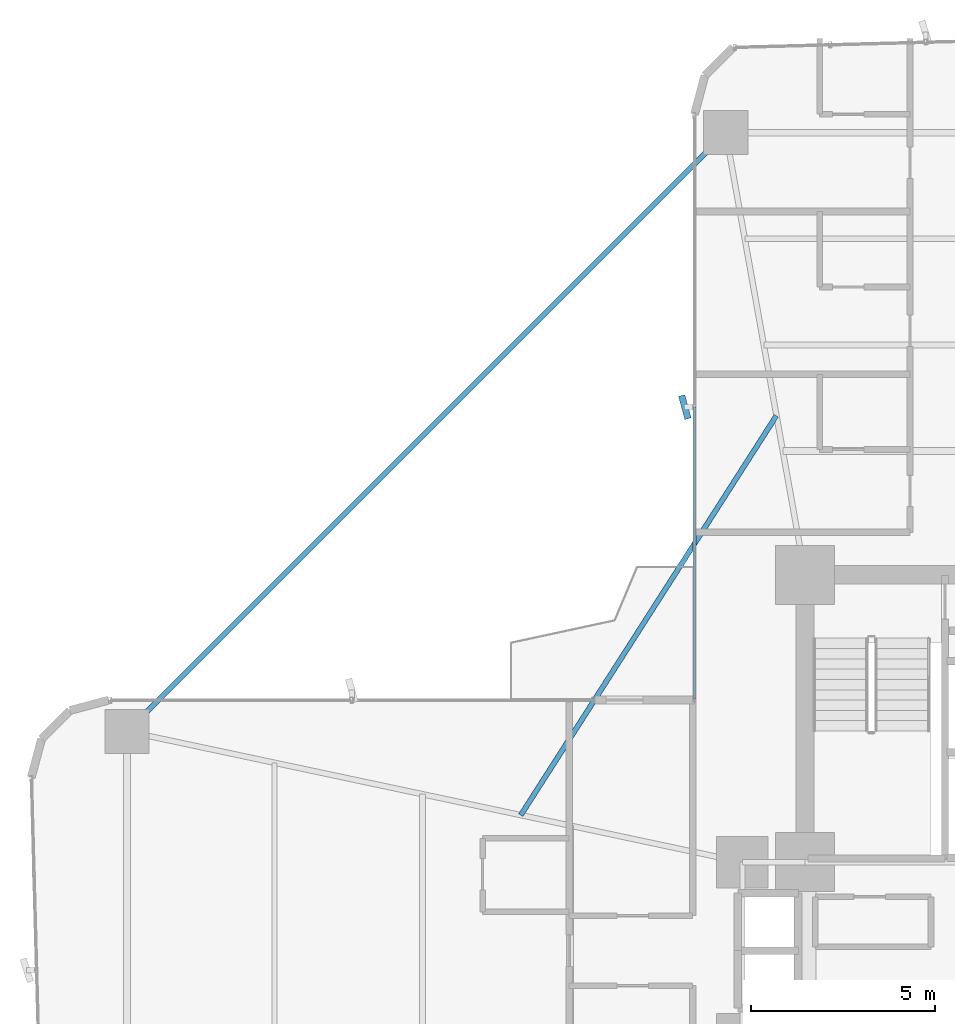
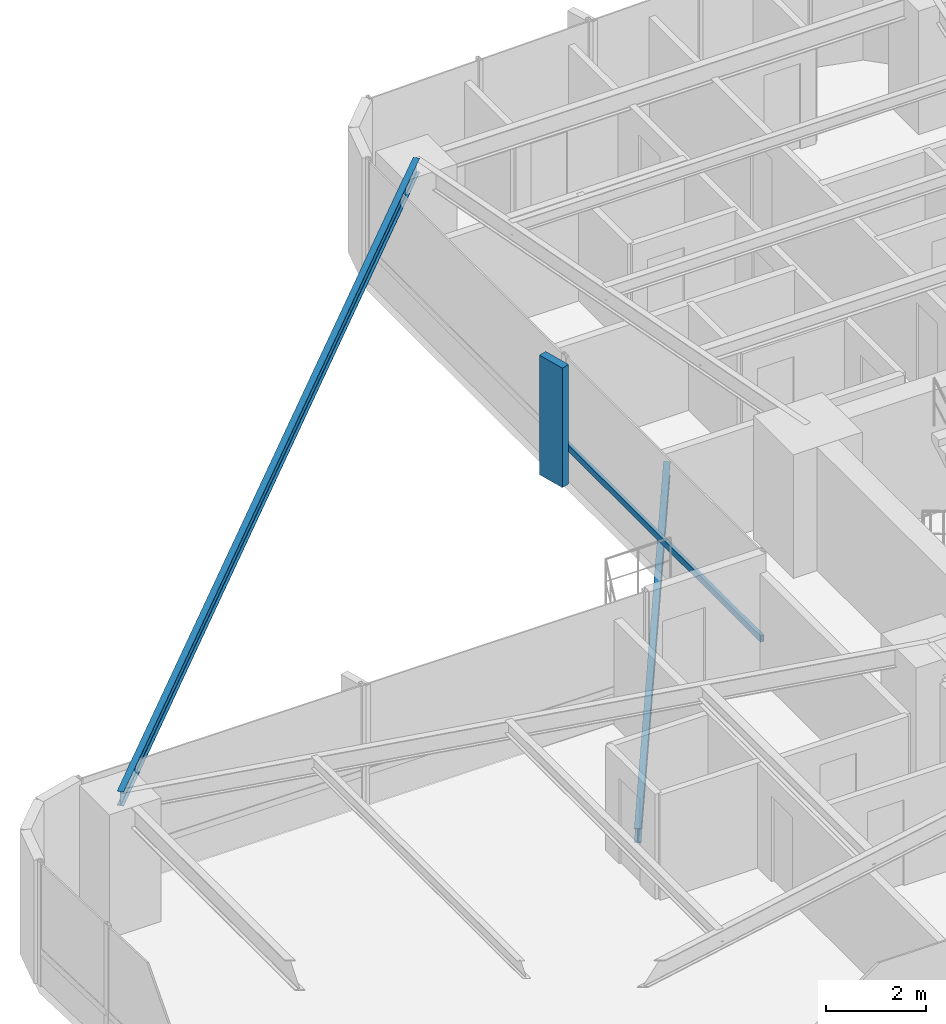
# One storey, part 17 of 25: 2 beams, 2 members, 1 element without a shape of its own.
"""IFC4 building model written with IfcOpenShell, lengths in metres."""

from ifc_helpers import new_model, si_unit, direction, frame, origin, origin_2d, place, context, subcontext, project, spatial, rectangle, hollow_rectangle, i_section, extrude, source, transform, mapped, material, material_profile, profile_set, type_object, element, aggregate, save


model = new_model("IFC4")

# Units and contexts
model_context = context("Model", 3, precision=1e-05, world=origin(), true_north=direction((0.0, 1.0)))
body_context = subcontext(model_context, "Body", "Model", "MODEL_VIEW")
ifc_project = project(units=[si_unit("LENGTHUNIT", "METRE"), si_unit("AREAUNIT", "SQUARE_METRE"), si_unit("VOLUMEUNIT", "CUBIC_METRE"), si_unit("PLANEANGLEUNIT", "RADIAN"), si_unit("MASSUNIT", "GRAM", prefix="KILO")], contexts=[model_context])

# Site, building, storey
site_placement = place(None, origin())
site = spatial("IfcSite", under=ifc_project, at=site_placement, CompositionType="ELEMENT")
building_placement = place(site_placement, origin())
building = spatial("IfcBuilding", under=site, at=building_placement, Name="Sahyath Konkavel Grand Hotel", CompositionType="ELEMENT")
storey_placement = place(building_placement, frame((0.0, 0.0, 71.14990234375)))
storey = spatial("IfcBuildingStorey", under=building, at=storey_placement, Name="L19", CompositionType="ELEMENT", Elevation=71.14990234375)

# Beam
ifc_material_1 = material(Name="Steel E350", Category="steel")
ifc_material_profile_1 = material_profile(ifc_material_1, i_section(OverallWidth=0.139892578125, OverallDepth=0.35009765625, WebThickness=0.008056640625, FlangeThickness=0.01416015625, FilletRadius=0.013916015625, at=origin_2d()), Name="ISMB 350")
ifc_profile_set_1 = profile_set([ifc_material_profile_1], Name="Steel E350")
beam_type_1 = type_object("IfcBeamType", Name="BM-ISMB350", PredefinedType="BEAM", material=ifc_profile_set_1)
shared_shape_1 = source(origin(), body_context, "Body", "SweptSolid", [
    extrude(i_section(OverallWidth=0.139892578125, OverallDepth=0.35009765625, WebThickness=0.008056640625, FlangeThickness=0.01416015625, FilletRadius=0.013916015625, at=origin_2d()), origin(), (0.0, 0.0, 1.0), 22.98095703125),
])
beam_1_placement = place(storey_placement, frame((-5.949951171875, 22.199951171875, 2.85498046875), z_axis=(-0.707106781187, -0.707106781187, 0.0), x_axis=(0.707106781187, -0.707106781187, 0.0)))
element("IfcBeam", 1, at=beam_1_placement, inside=storey, type_object=beam_type_1, Name="L19 Re-Entrant Tie Beam NW", PredefinedType="BEAM", context=body_context, shape_type="MappedRepresentation", body=[
    mapped(shared_shape_1, transform((0.0, 0.0, 0.0), scale=1.0)),
])

# Curtain wall, member
ifc_material_2 = material(Name="Anodised Bronze Aluminium & Low-E Glazing", Category="aluminium")
curtain_wall_type = type_object("IfcCurtainWallType", Name="CW-ZONE1", PredefinedType="NOTDEFINED", material=ifc_material_2)
curtain_wall_placement = place(storey_placement, origin())
curtain_wall = element("IfcCurtainWall", 2, at=curtain_wall_placement, inside=storey, type_object=curtain_wall_type, Name="L19 Unitised Curtain Wall F15", PredefinedType="NOTDEFINED")
ifc_material_3 = material(Name="Anodised Bronze Aluminium", Category="aluminium")
ifc_material_profile_2 = material_profile(ifc_material_3, hollow_rectangle(XDim=0.080078125, YDim=0.159912109375, WallThickness=0.006103515625, at=origin_2d()), Name="RHS 160x80x6")
ifc_profile_set_2 = profile_set([ifc_material_profile_2], Name="Anodised Bronze Aluminium")
member_type_1 = type_object("IfcMemberType", Name="CW-TRN-160", PredefinedType="USERDEFINED", material=ifc_profile_set_2)
shared_shape_2 = source(origin(), body_context, "Body", "SweptSolid", [
    extrude(hollow_rectangle(XDim=0.080078125, YDim=0.159912109375, WallThickness=0.006103515625, at=origin_2d()), origin(), (0.0, 0.0, 1.0), 7.909912109375),
])
member_1_placement = place(storey_placement, frame((-6.800048828125, 14.75, 0.85009765625), z_axis=(0.0, -1.0, 0.0), x_axis=(1.0, 0.0, 0.0)))
member_1 = element("IfcMember", 3, at=member_1_placement, type_object=member_type_1, Name="L19 Curtain Wall Transom F15-1-spandrel", ObjectType="TRANSOM", PredefinedType="USERDEFINED", context=body_context, shape_type="MappedRepresentation", body=[
    mapped(shared_shape_2, transform((0.0, 0.0, 0.0), scale=1.0)),
])

# Beam
ifc_material_profile_3 = material_profile(ifc_material_1, i_section(OverallWidth=0.139892578125, OverallDepth=0.35009765625, WebThickness=0.008056640625, FlangeThickness=0.01416015625, FilletRadius=0.013916015625, at=origin_2d()), Name="ISMB 350")
ifc_profile_set_3 = profile_set([ifc_material_profile_3], Name="Steel E350")
beam_type_2 = type_object("IfcBeamType", Name="BM-BALC-CANT", PredefinedType="BEAM", material=ifc_profile_set_3)
shared_shape_3 = source(origin(), body_context, "Body", "SweptSolid", [
    extrude(i_section(OverallWidth=0.139892578125, OverallDepth=0.35009765625, WebThickness=0.008056640625, FlangeThickness=0.01416015625, FilletRadius=0.013916015625, at=origin_2d()), origin(), (0.0, 0.0, 1.0), 12.871826171875),
])
beam_2_placement = place(storey_placement, frame((-4.573974609375, 14.52001953125, -0.414794921875), z_axis=(-0.539003102535, -0.842303778608, 0.0), x_axis=(0.842303778608, -0.539003102535, 0.0)))
element("IfcBeam", 4, at=beam_2_placement, inside=storey, type_object=beam_type_2, Name="L19 Balcony Cantilever Support Beam NW", PredefinedType="BEAM", context=body_context, shape_type="MappedRepresentation", body=[
    mapped(shared_shape_3, transform((0.0, 0.0, 0.0), scale=1.0)),
])

# Member
ifc_material_4 = material(Name="Warm Buff Sandstone Cladding on Concrete C50/60", Category="masonry")
ifc_material_profile_4 = material_profile(ifc_material_4, rectangle(XDim=0.179931640625, YDim=0.64990234375, at=origin_2d()), Name="FIN 180x650")
ifc_profile_set_4 = profile_set([ifc_material_profile_4], Name="Warm Buff Sandstone Cladding on Concrete C50/60")
member_type_2 = type_object("IfcMemberType", Name="FIN-SANDSTONE-650", PredefinedType="MULLION", material=ifc_profile_set_4)
shared_shape_4 = source(origin(), body_context, "Body", "SweptSolid", [
    extrude(rectangle(XDim=0.179931640625, YDim=0.64990234375, at=origin_2d()), origin(), (0.0, 0.0, 1.0), 2.929931640625),
])
member_2_placement = place(storey_placement, frame((-7.06005859375, 14.75, 0.050048828125), z_axis=(0.0, 0.0, 1.0), x_axis=(0.965016494472, 0.262189178641, 0.0)))
member_2 = element("IfcMember", 5, at=member_2_placement, type_object=member_type_2, Name="L19 Sandstone Vertical Solar Fin FIN F15-1", PredefinedType="MULLION", context=body_context, shape_type="MappedRepresentation", body=[
    mapped(shared_shape_4, transform((0.0, 0.0, 0.0), scale=1.0)),
])

aggregate(curtain_wall, [member_2, member_1])

save(model, "model.ifc")
